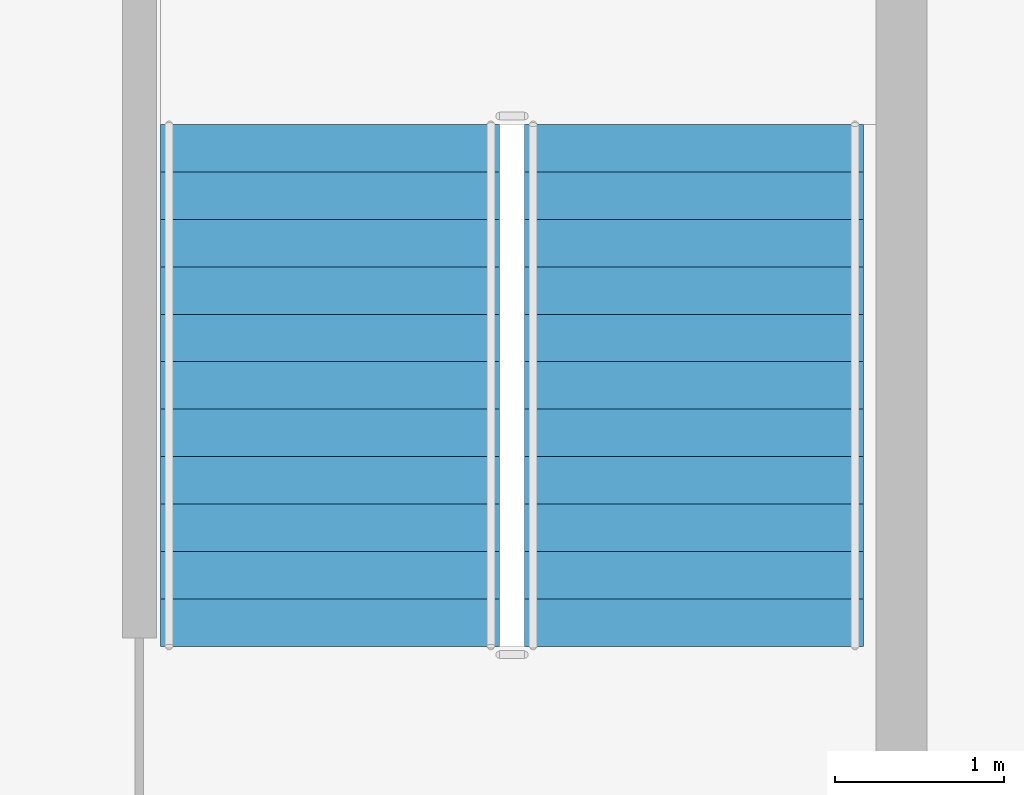
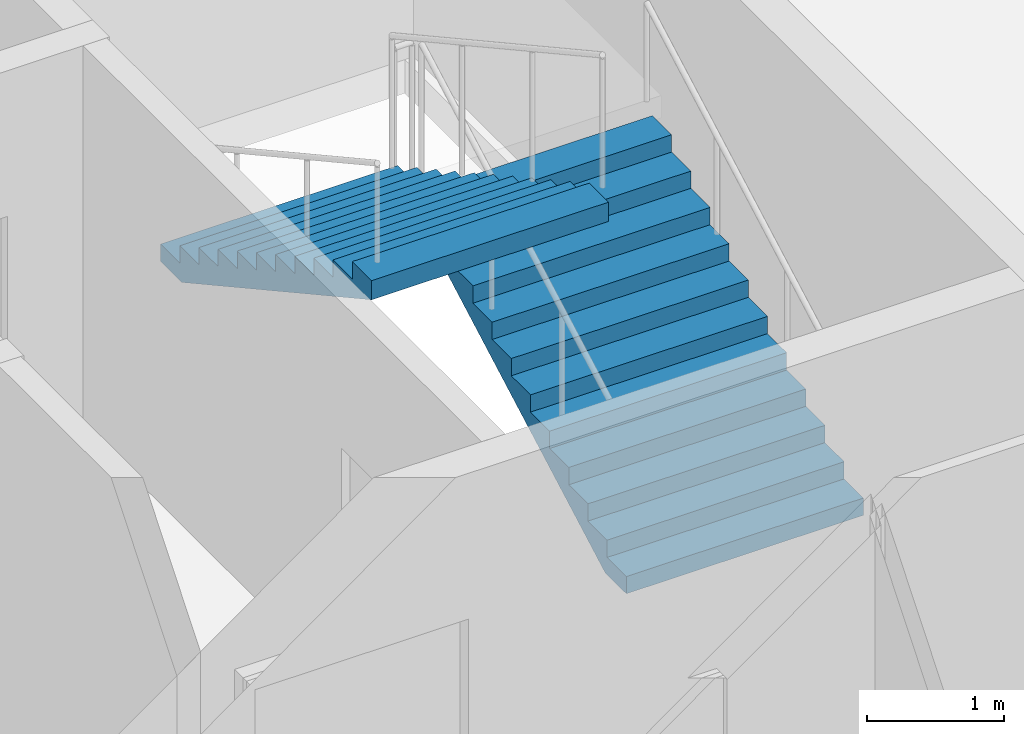
# One storey, part 8 of 11: 2 stair flights, 1 element without a shape of its own.
"""IFC4 building model written with IfcOpenShell, lengths in metres."""

from ifc_helpers import new_model, si_unit, direction, frame, origin, place, context, subcontext, project, spatial, polygons, material, type_object, element, aggregate, save


model = new_model("IFC4")

# Units and contexts
model_context = context("Model", 3, precision=1e-05, world=origin(), true_north=direction((0.0, 1.0)))
body_context = subcontext(model_context, "Body", "Model", "MODEL_VIEW")
ifc_project = project(units=[si_unit("LENGTHUNIT", "METRE"), si_unit("AREAUNIT", "SQUARE_METRE"), si_unit("VOLUMEUNIT", "CUBIC_METRE"), si_unit("PLANEANGLEUNIT", "RADIAN"), si_unit("MASSUNIT", "GRAM", prefix="KILO")], contexts=[model_context])

# Site, building, storey
site_placement = place(None, origin())
site = spatial("IfcSite", under=ifc_project, at=site_placement, CompositionType="ELEMENT")
building_placement = place(site_placement, origin())
building = spatial("IfcBuilding", under=site, at=building_placement, Name="Caravel Reach Hotel and Residences", CompositionType="ELEMENT")
storey_placement = place(building_placement, frame((0.0, 0.0, 260.10009765625)))
storey = spatial("IfcBuildingStorey", under=building, at=storey_placement, Name="L66", CompositionType="ELEMENT", Elevation=260.10009765625)

# Stair, stair flights
ifc_material_1 = material(Name="Concrete C40", Category="concrete")
stair_type = type_object("IfcStairType", Name="Core stair", PredefinedType="HALF_TURN_STAIR", material=ifc_material_1)
stair_placement = place(storey_placement, origin())
stair = element("IfcStair", 1, at=stair_placement, inside=storey, type_object=stair_type, Name="L66 Exit stair B", PredefinedType="HALF_TURN_STAIR")
ifc_material_2 = material(Name="Concrete C40", Category="concrete")
stair_flight_type = type_object("IfcStairFlightType", Name="Core stair flight", PredefinedType="STRAIGHT", material=ifc_material_2)
stair_flight_1_placement = place(storey_placement, frame((43.77490234375, 24.64990234375, 0.0), z_axis=(0.0, 0.0, 1.0), x_axis=(0.0, 1.0, 0.0)))
stair_flight_1 = element("IfcStairFlight", 2, at=stair_flight_1_placement, type_object=stair_flight_type, Name="ST-B flight 1", NumberOfRisers=12, NumberOfTreads=11, PredefinedType="STRAIGHT", RiserHeight=0.154166667, TreadLength=0.28, context=body_context, shape_type="Tessellation", body=[
    polygons([(0.3107950034306102, 1.0, 0.0), (0.3107950034306102, 0.6666666666666667, 0.0), (0.3107950034306102, 0.33333333333333337, 0.0), (0.3107950034306102, 0.0, 0.0), (0.3107950034306102, -0.33333333333333326, 0.0), (0.3107950034306102, -0.6666666666666667, 0.0), (0.3107950034306102, -1.0, 0.0), (3.081, 1.0, 1.524711087717319), (3.081, 0.6666666666666667, 1.524711087717319), (3.081, 0.33333333333333337, 1.524711087717319), (3.081, 0.0, 1.524711087717319), (3.081, -0.33333333333333326, 1.524711087717319), (3.081, -0.6666666666666667, 1.524711087717319), (3.081, -1.0, 1.524711087717319), (3.081, 1.0, 1.695833337), (3.081, 0.6666666666666667, 1.695833337), (3.081, 0.33333333333333337, 1.695833337), (3.081, 0.0, 1.695833337), (3.081, -0.33333333333333326, 1.695833337), (3.081, -0.6666666666666667, 1.695833337), (3.081, -1.0, 1.695833337), (2.8000000000000003, 1.0, 1.695833337), (2.8000000000000003, 0.6666666666666667, 1.695833337), (2.8000000000000003, 0.33333333333333337, 1.695833337), (2.8000000000000003, 0.0, 1.695833337), (2.8000000000000003, -0.33333333333333326, 1.695833337), (2.8000000000000003, -0.6666666666666667, 1.695833337), (2.8000000000000003, -1.0, 1.695833337), (2.8000000000000003, 1.0, 1.5416666700000001), (2.8000000000000003, 0.6666666666666667, 1.5416666700000001), (2.8000000000000003, 0.33333333333333337, 1.5416666700000001), (2.8000000000000003, 0.0, 1.5416666700000001), (2.8000000000000003, -0.33333333333333326, 1.5416666700000001), (2.8000000000000003, -0.6666666666666667, 1.5416666700000001), (2.8000000000000003, -1.0, 1.5416666700000001), (2.5200000000000005, 1.0, 1.5416666700000001), (2.5200000000000005, 0.6666666666666667, 1.5416666700000001), (2.5200000000000005, 0.33333333333333337, 1.5416666700000001), (2.5200000000000005, 0.0, 1.5416666700000001), (2.5200000000000005, -0.33333333333333326, 1.5416666700000001), (2.5200000000000005, -0.6666666666666667, 1.5416666700000001), (2.5200000000000005, -1.0, 1.5416666700000001), (2.5200000000000005, 1.0, 1.387500003), (2.5200000000000005, 0.6666666666666667, 1.387500003), (2.5200000000000005, 0.33333333333333337, 1.387500003), (2.5200000000000005, 0.0, 1.387500003), (2.5200000000000005, -0.33333333333333326, 1.387500003), (2.5200000000000005, -0.6666666666666667, 1.387500003), (2.5200000000000005, -1.0, 1.387500003), (2.24, 1.0, 1.387500003), (2.24, 0.6666666666666667, 1.387500003), (2.24, 0.33333333333333337, 1.387500003), (2.24, 0.0, 1.387500003), (2.24, -0.33333333333333326, 1.387500003), (2.24, -0.6666666666666667, 1.387500003), (2.24, -1.0, 1.387500003), (2.24, 1.0, 1.233333336), (2.24, 0.6666666666666667, 1.233333336), (2.24, 0.33333333333333337, 1.233333336), (2.24, 0.0, 1.233333336), (2.24, -0.33333333333333326, 1.233333336), (2.24, -0.6666666666666667, 1.233333336), (2.24, -1.0, 1.233333336), (1.9600000000000002, 1.0, 1.233333336), (1.9600000000000002, 0.6666666666666667, 1.233333336), (1.9600000000000002, 0.33333333333333337, 1.233333336), (1.9600000000000002, 0.0, 1.233333336), (1.9600000000000002, -0.33333333333333326, 1.233333336), (1.9600000000000002, -0.6666666666666667, 1.233333336), (1.9600000000000002, -1.0, 1.233333336), (1.9600000000000002, 1.0, 1.0791666690000001), (1.9600000000000002, 0.6666666666666667, 1.0791666690000001), (1.9600000000000002, 0.33333333333333337, 1.0791666690000001), (1.9600000000000002, 0.0, 1.0791666690000001), (1.9600000000000002, -0.33333333333333326, 1.0791666690000001), (1.9600000000000002, -0.6666666666666667, 1.0791666690000001), (1.9600000000000002, -1.0, 1.0791666690000001), (1.6800000000000002, 1.0, 1.0791666690000001), (1.6800000000000002, 0.6666666666666667, 1.0791666690000001), (1.6800000000000002, 0.33333333333333337, 1.0791666690000001), (1.6800000000000002, 0.0, 1.0791666690000001), (1.6800000000000002, -0.33333333333333326, 1.0791666690000001), (1.6800000000000002, -0.6666666666666667, 1.0791666690000001), (1.6800000000000002, -1.0, 1.0791666690000001), (1.6800000000000002, 1.0, 0.925000002), (1.6800000000000002, 0.6666666666666667, 0.925000002), (1.6800000000000002, 0.33333333333333337, 0.925000002), (1.6800000000000002, 0.0, 0.925000002), (1.6800000000000002, -0.33333333333333326, 0.925000002), (1.6800000000000002, -0.6666666666666667, 0.925000002), (1.6800000000000002, -1.0, 0.925000002), (1.4000000000000001, 1.0, 0.925000002), (1.4000000000000001, 0.6666666666666667, 0.925000002), (1.4000000000000001, 0.33333333333333337, 0.925000002), (1.4000000000000001, 0.0, 0.925000002), (1.4000000000000001, -0.33333333333333326, 0.925000002), (1.4000000000000001, -0.6666666666666667, 0.925000002), (1.4000000000000001, -1.0, 0.925000002), (1.4000000000000001, 1.0, 0.7708333350000001), (1.4000000000000001, 0.6666666666666667, 0.7708333350000001), (1.4000000000000001, 0.33333333333333337, 0.7708333350000001), (1.4000000000000001, 0.0, 0.7708333350000001), (1.4000000000000001, -0.33333333333333326, 0.7708333350000001), (1.4000000000000001, -0.6666666666666667, 0.7708333350000001), (1.4000000000000001, -1.0, 0.7708333350000001), (1.12, 1.0, 0.7708333350000001), (1.12, 0.6666666666666667, 0.7708333350000001), (1.12, 0.33333333333333337, 0.7708333350000001), (1.12, 0.0, 0.7708333350000001), (1.12, -0.33333333333333326, 0.7708333350000001), (1.12, -0.6666666666666667, 0.7708333350000001), (1.12, -1.0, 0.7708333350000001), (1.12, 1.0, 0.616666668), (1.12, 0.6666666666666667, 0.616666668), (1.12, 0.33333333333333337, 0.616666668), (1.12, 0.0, 0.616666668), (1.12, -0.33333333333333326, 0.616666668), (1.12, -0.6666666666666667, 0.616666668), (1.12, -1.0, 0.616666668), (0.8400000000000001, 1.0, 0.616666668), (0.8400000000000001, 0.6666666666666667, 0.616666668), (0.8400000000000001, 0.33333333333333337, 0.616666668), (0.8400000000000001, 0.0, 0.616666668), (0.8400000000000001, -0.33333333333333326, 0.616666668), (0.8400000000000001, -0.6666666666666667, 0.616666668), (0.8400000000000001, -1.0, 0.616666668), (0.8400000000000001, 1.0, 0.462500001), (0.8400000000000001, 0.6666666666666667, 0.462500001), (0.8400000000000001, 0.33333333333333337, 0.462500001), (0.8400000000000001, 0.0, 0.462500001), (0.8400000000000001, -0.33333333333333326, 0.462500001), (0.8400000000000001, -0.6666666666666667, 0.462500001), (0.8400000000000001, -1.0, 0.462500001), (0.56, 1.0, 0.462500001), (0.56, 0.6666666666666667, 0.462500001), (0.56, 0.33333333333333337, 0.462500001), (0.56, 0.0, 0.462500001), (0.56, -0.33333333333333326, 0.462500001), (0.56, -0.6666666666666667, 0.462500001), (0.56, -1.0, 0.462500001), (0.56, 1.0, 0.308333334), (0.56, 0.6666666666666667, 0.308333334), (0.56, 0.33333333333333337, 0.308333334), (0.56, 0.0, 0.308333334), (0.56, -0.33333333333333326, 0.308333334), (0.56, -0.6666666666666667, 0.308333334), (0.56, -1.0, 0.308333334), (0.28, 1.0, 0.308333334), (0.28, 0.6666666666666667, 0.308333334), (0.28, 0.33333333333333337, 0.308333334), (0.28, 0.0, 0.308333334), (0.28, -0.33333333333333326, 0.308333334), (0.28, -0.6666666666666667, 0.308333334), (0.28, -1.0, 0.308333334), (0.28, 1.0, 0.154166667), (0.28, 0.6666666666666667, 0.154166667), (0.28, 0.33333333333333337, 0.154166667), (0.28, 0.0, 0.154166667), (0.28, -0.33333333333333326, 0.154166667), (0.28, -0.6666666666666667, 0.154166667), (0.28, -1.0, 0.154166667), (-0.001, 1.0, 0.154166667), (-0.001, 0.6666666666666667, 0.154166667), (-0.001, 0.33333333333333337, 0.154166667), (-0.001, 0.0, 0.154166667), (-0.001, -0.33333333333333326, 0.154166667), (-0.001, -0.6666666666666667, 0.154166667), (-0.001, -1.0, 0.154166667), (-0.001, 1.0, 0.0), (-0.001, 0.6666666666666667, 0.0), (-0.001, 0.33333333333333337, 0.0), (-0.001, 0.0, 0.0), (-0.001, -0.33333333333333326, 0.0), (-0.001, -0.6666666666666667, 0.0), (-0.001, -1.0, 0.0)], [[[169, 162, 155, 148, 141, 134, 127, 120, 113, 106, 99, 92, 85, 78, 71, 64, 57, 50, 43, 36, 29, 22, 15, 8, 1]], [[7, 14, 21, 28, 35, 42, 49, 56, 63, 70, 77, 84, 91, 98, 105, 112, 119, 126, 133, 140, 147, 154, 161, 168, 175]], [[1, 8, 9, 2]], [[2, 9, 10, 3]], [[3, 10, 11, 4]], [[4, 11, 12, 5]], [[5, 12, 13, 6]], [[6, 13, 14, 7]], [[8, 15, 16, 9]], [[9, 16, 17, 10]], [[10, 17, 18, 11]], [[11, 18, 19, 12]], [[12, 19, 20, 13]], [[13, 20, 21, 14]], [[15, 22, 23, 16]], [[16, 23, 24, 17]], [[17, 24, 25, 18]], [[18, 25, 26, 19]], [[19, 26, 27, 20]], [[20, 27, 28, 21]], [[22, 29, 30, 23]], [[23, 30, 31, 24]], [[24, 31, 32, 25]], [[25, 32, 33, 26]], [[26, 33, 34, 27]], [[27, 34, 35, 28]], [[29, 36, 37, 30]], [[30, 37, 38, 31]], [[31, 38, 39, 32]], [[32, 39, 40, 33]], [[33, 40, 41, 34]], [[34, 41, 42, 35]], [[36, 43, 44, 37]], [[37, 44, 45, 38]], [[38, 45, 46, 39]], [[39, 46, 47, 40]], [[40, 47, 48, 41]], [[41, 48, 49, 42]], [[43, 50, 51, 44]], [[44, 51, 52, 45]], [[45, 52, 53, 46]], [[46, 53, 54, 47]], [[47, 54, 55, 48]], [[48, 55, 56, 49]], [[50, 57, 58, 51]], [[51, 58, 59, 52]], [[52, 59, 60, 53]], [[53, 60, 61, 54]], [[54, 61, 62, 55]], [[55, 62, 63, 56]], [[57, 64, 65, 58]], [[58, 65, 66, 59]], [[59, 66, 67, 60]], [[60, 67, 68, 61]], [[61, 68, 69, 62]], [[62, 69, 70, 63]], [[64, 71, 72, 65]], [[65, 72, 73, 66]], [[66, 73, 74, 67]], [[67, 74, 75, 68]], [[68, 75, 76, 69]], [[69, 76, 77, 70]], [[71, 78, 79, 72]], [[72, 79, 80, 73]], [[73, 80, 81, 74]], [[74, 81, 82, 75]], [[75, 82, 83, 76]], [[76, 83, 84, 77]], [[78, 85, 86, 79]], [[79, 86, 87, 80]], [[80, 87, 88, 81]], [[81, 88, 89, 82]], [[82, 89, 90, 83]], [[83, 90, 91, 84]], [[85, 92, 93, 86]], [[86, 93, 94, 87]], [[87, 94, 95, 88]], [[88, 95, 96, 89]], [[89, 96, 97, 90]], [[90, 97, 98, 91]], [[92, 99, 100, 93]], [[93, 100, 101, 94]], [[94, 101, 102, 95]], [[95, 102, 103, 96]], [[96, 103, 104, 97]], [[97, 104, 105, 98]], [[99, 106, 107, 100]], [[100, 107, 108, 101]], [[101, 108, 109, 102]], [[102, 109, 110, 103]], [[103, 110, 111, 104]], [[104, 111, 112, 105]], [[106, 113, 114, 107]], [[107, 114, 115, 108]], [[108, 115, 116, 109]], [[109, 116, 117, 110]], [[110, 117, 118, 111]], [[111, 118, 119, 112]], [[113, 120, 121, 114]], [[114, 121, 122, 115]], [[115, 122, 123, 116]], [[116, 123, 124, 117]], [[117, 124, 125, 118]], [[118, 125, 126, 119]], [[120, 127, 128, 121]], [[121, 128, 129, 122]], [[122, 129, 130, 123]], [[123, 130, 131, 124]], [[124, 131, 132, 125]], [[125, 132, 133, 126]], [[127, 134, 135, 128]], [[128, 135, 136, 129]], [[129, 136, 137, 130]], [[130, 137, 138, 131]], [[131, 138, 139, 132]], [[132, 139, 140, 133]], [[134, 141, 142, 135]], [[135, 142, 143, 136]], [[136, 143, 144, 137]], [[137, 144, 145, 138]], [[138, 145, 146, 139]], [[139, 146, 147, 140]], [[141, 148, 149, 142]], [[142, 149, 150, 143]], [[143, 150, 151, 144]], [[144, 151, 152, 145]], [[145, 152, 153, 146]], [[146, 153, 154, 147]], [[148, 155, 156, 149]], [[149, 156, 157, 150]], [[150, 157, 158, 151]], [[151, 158, 159, 152]], [[152, 159, 160, 153]], [[153, 160, 161, 154]], [[155, 162, 163, 156]], [[156, 163, 164, 157]], [[157, 164, 165, 158]], [[158, 165, 166, 159]], [[159, 166, 167, 160]], [[160, 167, 168, 161]], [[162, 169, 170, 163]], [[163, 170, 171, 164]], [[164, 171, 172, 165]], [[165, 172, 173, 166]], [[166, 173, 174, 167]], [[167, 174, 175, 168]], [[169, 1, 2, 170]], [[170, 2, 3, 171]], [[171, 3, 4, 172]], [[172, 4, 5, 173]], [[173, 5, 6, 174]], [[174, 6, 7, 175]]], closed=True),
])
stair_flight_2_placement = place(storey_placement, frame((41.625, 27.72998046875, 1.849853515625), z_axis=(0.0, 0.0, 1.0), x_axis=(0.0, -1.0, 0.0)))
stair_flight_2 = element("IfcStairFlight", 3, at=stair_flight_2_placement, type_object=stair_flight_type, Name="ST-B flight 2", NumberOfRisers=12, NumberOfTreads=11, PredefinedType="STRAIGHT", RiserHeight=0.154166667, TreadLength=0.28, context=body_context, shape_type="Tessellation", body=[
    polygons([(0.3107950034306102, 1.0, 0.0), (0.3107950034306102, 0.6666666666666667, 0.0), (0.3107950034306102, 0.33333333333333337, 0.0), (0.3107950034306102, 0.0, 0.0), (0.3107950034306102, -0.33333333333333326, 0.0), (0.3107950034306102, -0.6666666666666667, 0.0), (0.3107950034306102, -1.0, 0.0), (3.081, 1.0, 1.524711087717319), (3.081, 0.6666666666666667, 1.524711087717319), (3.081, 0.33333333333333337, 1.524711087717319), (3.081, 0.0, 1.524711087717319), (3.081, -0.33333333333333326, 1.524711087717319), (3.081, -0.6666666666666667, 1.524711087717319), (3.081, -1.0, 1.524711087717319), (3.081, 1.0, 1.695833337), (3.081, 0.6666666666666667, 1.695833337), (3.081, 0.33333333333333337, 1.695833337), (3.081, 0.0, 1.695833337), (3.081, -0.33333333333333326, 1.695833337), (3.081, -0.6666666666666667, 1.695833337), (3.081, -1.0, 1.695833337), (2.8000000000000003, 1.0, 1.695833337), (2.8000000000000003, 0.6666666666666667, 1.695833337), (2.8000000000000003, 0.33333333333333337, 1.695833337), (2.8000000000000003, 0.0, 1.695833337), (2.8000000000000003, -0.33333333333333326, 1.695833337), (2.8000000000000003, -0.6666666666666667, 1.695833337), (2.8000000000000003, -1.0, 1.695833337), (2.8000000000000003, 1.0, 1.5416666700000001), (2.8000000000000003, 0.6666666666666667, 1.5416666700000001), (2.8000000000000003, 0.33333333333333337, 1.5416666700000001), (2.8000000000000003, 0.0, 1.5416666700000001), (2.8000000000000003, -0.33333333333333326, 1.5416666700000001), (2.8000000000000003, -0.6666666666666667, 1.5416666700000001), (2.8000000000000003, -1.0, 1.5416666700000001), (2.5200000000000005, 1.0, 1.5416666700000001), (2.5200000000000005, 0.6666666666666667, 1.5416666700000001), (2.5200000000000005, 0.33333333333333337, 1.5416666700000001), (2.5200000000000005, 0.0, 1.5416666700000001), (2.5200000000000005, -0.33333333333333326, 1.5416666700000001), (2.5200000000000005, -0.6666666666666667, 1.5416666700000001), (2.5200000000000005, -1.0, 1.5416666700000001), (2.5200000000000005, 1.0, 1.387500003), (2.5200000000000005, 0.6666666666666667, 1.387500003), (2.5200000000000005, 0.33333333333333337, 1.387500003), (2.5200000000000005, 0.0, 1.387500003), (2.5200000000000005, -0.33333333333333326, 1.387500003), (2.5200000000000005, -0.6666666666666667, 1.387500003), (2.5200000000000005, -1.0, 1.387500003), (2.24, 1.0, 1.387500003), (2.24, 0.6666666666666667, 1.387500003), (2.24, 0.33333333333333337, 1.387500003), (2.24, 0.0, 1.387500003), (2.24, -0.33333333333333326, 1.387500003), (2.24, -0.6666666666666667, 1.387500003), (2.24, -1.0, 1.387500003), (2.24, 1.0, 1.233333336), (2.24, 0.6666666666666667, 1.233333336), (2.24, 0.33333333333333337, 1.233333336), (2.24, 0.0, 1.233333336), (2.24, -0.33333333333333326, 1.233333336), (2.24, -0.6666666666666667, 1.233333336), (2.24, -1.0, 1.233333336), (1.9600000000000002, 1.0, 1.233333336), (1.9600000000000002, 0.6666666666666667, 1.233333336), (1.9600000000000002, 0.33333333333333337, 1.233333336), (1.9600000000000002, 0.0, 1.233333336), (1.9600000000000002, -0.33333333333333326, 1.233333336), (1.9600000000000002, -0.6666666666666667, 1.233333336), (1.9600000000000002, -1.0, 1.233333336), (1.9600000000000002, 1.0, 1.0791666690000001), (1.9600000000000002, 0.6666666666666667, 1.0791666690000001), (1.9600000000000002, 0.33333333333333337, 1.0791666690000001), (1.9600000000000002, 0.0, 1.0791666690000001), (1.9600000000000002, -0.33333333333333326, 1.0791666690000001), (1.9600000000000002, -0.6666666666666667, 1.0791666690000001), (1.9600000000000002, -1.0, 1.0791666690000001), (1.6800000000000002, 1.0, 1.0791666690000001), (1.6800000000000002, 0.6666666666666667, 1.0791666690000001), (1.6800000000000002, 0.33333333333333337, 1.0791666690000001), (1.6800000000000002, 0.0, 1.0791666690000001), (1.6800000000000002, -0.33333333333333326, 1.0791666690000001), (1.6800000000000002, -0.6666666666666667, 1.0791666690000001), (1.6800000000000002, -1.0, 1.0791666690000001), (1.6800000000000002, 1.0, 0.925000002), (1.6800000000000002, 0.6666666666666667, 0.925000002), (1.6800000000000002, 0.33333333333333337, 0.925000002), (1.6800000000000002, 0.0, 0.925000002), (1.6800000000000002, -0.33333333333333326, 0.925000002), (1.6800000000000002, -0.6666666666666667, 0.925000002), (1.6800000000000002, -1.0, 0.925000002), (1.4000000000000001, 1.0, 0.925000002), (1.4000000000000001, 0.6666666666666667, 0.925000002), (1.4000000000000001, 0.33333333333333337, 0.925000002), (1.4000000000000001, 0.0, 0.925000002), (1.4000000000000001, -0.33333333333333326, 0.925000002), (1.4000000000000001, -0.6666666666666667, 0.925000002), (1.4000000000000001, -1.0, 0.925000002), (1.4000000000000001, 1.0, 0.7708333350000001), (1.4000000000000001, 0.6666666666666667, 0.7708333350000001), (1.4000000000000001, 0.33333333333333337, 0.7708333350000001), (1.4000000000000001, 0.0, 0.7708333350000001), (1.4000000000000001, -0.33333333333333326, 0.7708333350000001), (1.4000000000000001, -0.6666666666666667, 0.7708333350000001), (1.4000000000000001, -1.0, 0.7708333350000001), (1.12, 1.0, 0.7708333350000001), (1.12, 0.6666666666666667, 0.7708333350000001), (1.12, 0.33333333333333337, 0.7708333350000001), (1.12, 0.0, 0.7708333350000001), (1.12, -0.33333333333333326, 0.7708333350000001), (1.12, -0.6666666666666667, 0.7708333350000001), (1.12, -1.0, 0.7708333350000001), (1.12, 1.0, 0.616666668), (1.12, 0.6666666666666667, 0.616666668), (1.12, 0.33333333333333337, 0.616666668), (1.12, 0.0, 0.616666668), (1.12, -0.33333333333333326, 0.616666668), (1.12, -0.6666666666666667, 0.616666668), (1.12, -1.0, 0.616666668), (0.8400000000000001, 1.0, 0.616666668), (0.8400000000000001, 0.6666666666666667, 0.616666668), (0.8400000000000001, 0.33333333333333337, 0.616666668), (0.8400000000000001, 0.0, 0.616666668), (0.8400000000000001, -0.33333333333333326, 0.616666668), (0.8400000000000001, -0.6666666666666667, 0.616666668), (0.8400000000000001, -1.0, 0.616666668), (0.8400000000000001, 1.0, 0.462500001), (0.8400000000000001, 0.6666666666666667, 0.462500001), (0.8400000000000001, 0.33333333333333337, 0.462500001), (0.8400000000000001, 0.0, 0.462500001), (0.8400000000000001, -0.33333333333333326, 0.462500001), (0.8400000000000001, -0.6666666666666667, 0.462500001), (0.8400000000000001, -1.0, 0.462500001), (0.56, 1.0, 0.462500001), (0.56, 0.6666666666666667, 0.462500001), (0.56, 0.33333333333333337, 0.462500001), (0.56, 0.0, 0.462500001), (0.56, -0.33333333333333326, 0.462500001), (0.56, -0.6666666666666667, 0.462500001), (0.56, -1.0, 0.462500001), (0.56, 1.0, 0.308333334), (0.56, 0.6666666666666667, 0.308333334), (0.56, 0.33333333333333337, 0.308333334), (0.56, 0.0, 0.308333334), (0.56, -0.33333333333333326, 0.308333334), (0.56, -0.6666666666666667, 0.308333334), (0.56, -1.0, 0.308333334), (0.28, 1.0, 0.308333334), (0.28, 0.6666666666666667, 0.308333334), (0.28, 0.33333333333333337, 0.308333334), (0.28, 0.0, 0.308333334), (0.28, -0.33333333333333326, 0.308333334), (0.28, -0.6666666666666667, 0.308333334), (0.28, -1.0, 0.308333334), (0.28, 1.0, 0.154166667), (0.28, 0.6666666666666667, 0.154166667), (0.28, 0.33333333333333337, 0.154166667), (0.28, 0.0, 0.154166667), (0.28, -0.33333333333333326, 0.154166667), (0.28, -0.6666666666666667, 0.154166667), (0.28, -1.0, 0.154166667), (-0.001, 1.0, 0.154166667), (-0.001, 0.6666666666666667, 0.154166667), (-0.001, 0.33333333333333337, 0.154166667), (-0.001, 0.0, 0.154166667), (-0.001, -0.33333333333333326, 0.154166667), (-0.001, -0.6666666666666667, 0.154166667), (-0.001, -1.0, 0.154166667), (-0.001, 1.0, 0.0), (-0.001, 0.6666666666666667, 0.0), (-0.001, 0.33333333333333337, 0.0), (-0.001, 0.0, 0.0), (-0.001, -0.33333333333333326, 0.0), (-0.001, -0.6666666666666667, 0.0), (-0.001, -1.0, 0.0)], [[[169, 162, 155, 148, 141, 134, 127, 120, 113, 106, 99, 92, 85, 78, 71, 64, 57, 50, 43, 36, 29, 22, 15, 8, 1]], [[7, 14, 21, 28, 35, 42, 49, 56, 63, 70, 77, 84, 91, 98, 105, 112, 119, 126, 133, 140, 147, 154, 161, 168, 175]], [[1, 8, 9, 2]], [[2, 9, 10, 3]], [[3, 10, 11, 4]], [[4, 11, 12, 5]], [[5, 12, 13, 6]], [[6, 13, 14, 7]], [[8, 15, 16, 9]], [[9, 16, 17, 10]], [[10, 17, 18, 11]], [[11, 18, 19, 12]], [[12, 19, 20, 13]], [[13, 20, 21, 14]], [[15, 22, 23, 16]], [[16, 23, 24, 17]], [[17, 24, 25, 18]], [[18, 25, 26, 19]], [[19, 26, 27, 20]], [[20, 27, 28, 21]], [[22, 29, 30, 23]], [[23, 30, 31, 24]], [[24, 31, 32, 25]], [[25, 32, 33, 26]], [[26, 33, 34, 27]], [[27, 34, 35, 28]], [[29, 36, 37, 30]], [[30, 37, 38, 31]], [[31, 38, 39, 32]], [[32, 39, 40, 33]], [[33, 40, 41, 34]], [[34, 41, 42, 35]], [[36, 43, 44, 37]], [[37, 44, 45, 38]], [[38, 45, 46, 39]], [[39, 46, 47, 40]], [[40, 47, 48, 41]], [[41, 48, 49, 42]], [[43, 50, 51, 44]], [[44, 51, 52, 45]], [[45, 52, 53, 46]], [[46, 53, 54, 47]], [[47, 54, 55, 48]], [[48, 55, 56, 49]], [[50, 57, 58, 51]], [[51, 58, 59, 52]], [[52, 59, 60, 53]], [[53, 60, 61, 54]], [[54, 61, 62, 55]], [[55, 62, 63, 56]], [[57, 64, 65, 58]], [[58, 65, 66, 59]], [[59, 66, 67, 60]], [[60, 67, 68, 61]], [[61, 68, 69, 62]], [[62, 69, 70, 63]], [[64, 71, 72, 65]], [[65, 72, 73, 66]], [[66, 73, 74, 67]], [[67, 74, 75, 68]], [[68, 75, 76, 69]], [[69, 76, 77, 70]], [[71, 78, 79, 72]], [[72, 79, 80, 73]], [[73, 80, 81, 74]], [[74, 81, 82, 75]], [[75, 82, 83, 76]], [[76, 83, 84, 77]], [[78, 85, 86, 79]], [[79, 86, 87, 80]], [[80, 87, 88, 81]], [[81, 88, 89, 82]], [[82, 89, 90, 83]], [[83, 90, 91, 84]], [[85, 92, 93, 86]], [[86, 93, 94, 87]], [[87, 94, 95, 88]], [[88, 95, 96, 89]], [[89, 96, 97, 90]], [[90, 97, 98, 91]], [[92, 99, 100, 93]], [[93, 100, 101, 94]], [[94, 101, 102, 95]], [[95, 102, 103, 96]], [[96, 103, 104, 97]], [[97, 104, 105, 98]], [[99, 106, 107, 100]], [[100, 107, 108, 101]], [[101, 108, 109, 102]], [[102, 109, 110, 103]], [[103, 110, 111, 104]], [[104, 111, 112, 105]], [[106, 113, 114, 107]], [[107, 114, 115, 108]], [[108, 115, 116, 109]], [[109, 116, 117, 110]], [[110, 117, 118, 111]], [[111, 118, 119, 112]], [[113, 120, 121, 114]], [[114, 121, 122, 115]], [[115, 122, 123, 116]], [[116, 123, 124, 117]], [[117, 124, 125, 118]], [[118, 125, 126, 119]], [[120, 127, 128, 121]], [[121, 128, 129, 122]], [[122, 129, 130, 123]], [[123, 130, 131, 124]], [[124, 131, 132, 125]], [[125, 132, 133, 126]], [[127, 134, 135, 128]], [[128, 135, 136, 129]], [[129, 136, 137, 130]], [[130, 137, 138, 131]], [[131, 138, 139, 132]], [[132, 139, 140, 133]], [[134, 141, 142, 135]], [[135, 142, 143, 136]], [[136, 143, 144, 137]], [[137, 144, 145, 138]], [[138, 145, 146, 139]], [[139, 146, 147, 140]], [[141, 148, 149, 142]], [[142, 149, 150, 143]], [[143, 150, 151, 144]], [[144, 151, 152, 145]], [[145, 152, 153, 146]], [[146, 153, 154, 147]], [[148, 155, 156, 149]], [[149, 156, 157, 150]], [[150, 157, 158, 151]], [[151, 158, 159, 152]], [[152, 159, 160, 153]], [[153, 160, 161, 154]], [[155, 162, 163, 156]], [[156, 163, 164, 157]], [[157, 164, 165, 158]], [[158, 165, 166, 159]], [[159, 166, 167, 160]], [[160, 167, 168, 161]], [[162, 169, 170, 163]], [[163, 170, 171, 164]], [[164, 171, 172, 165]], [[165, 172, 173, 166]], [[166, 173, 174, 167]], [[167, 174, 175, 168]], [[169, 1, 2, 170]], [[170, 2, 3, 171]], [[171, 3, 4, 172]], [[172, 4, 5, 173]], [[173, 5, 6, 174]], [[174, 6, 7, 175]]], closed=True),
])
aggregate(stair, [stair_flight_1, stair_flight_2])

save(model, "model.ifc")
